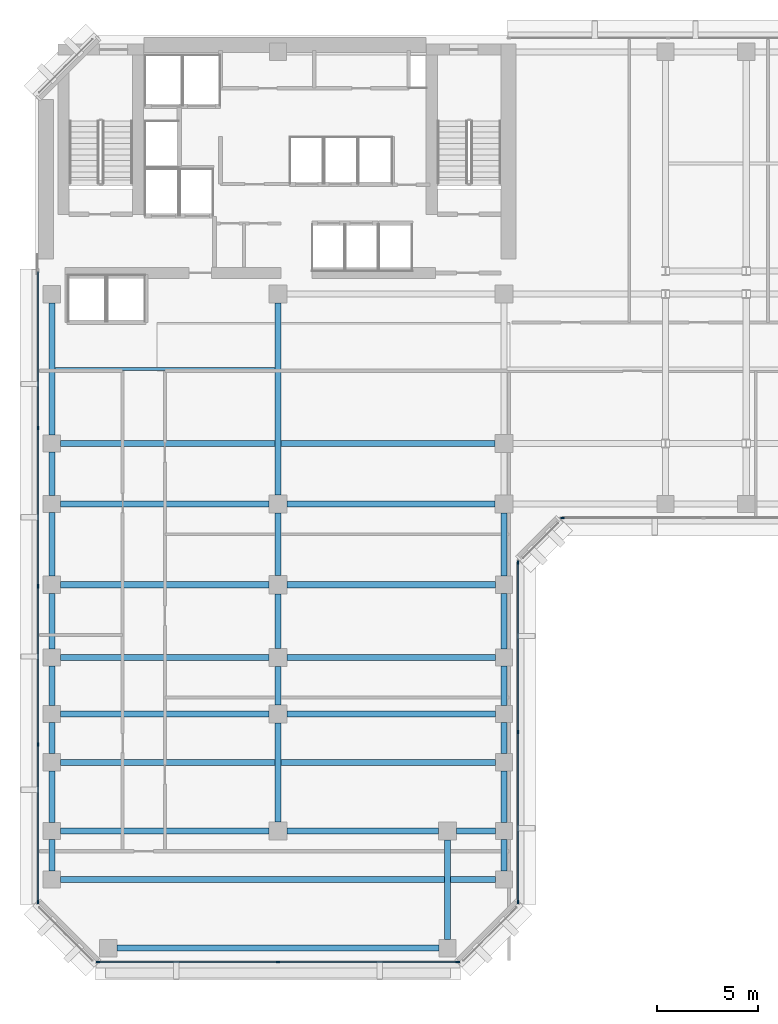
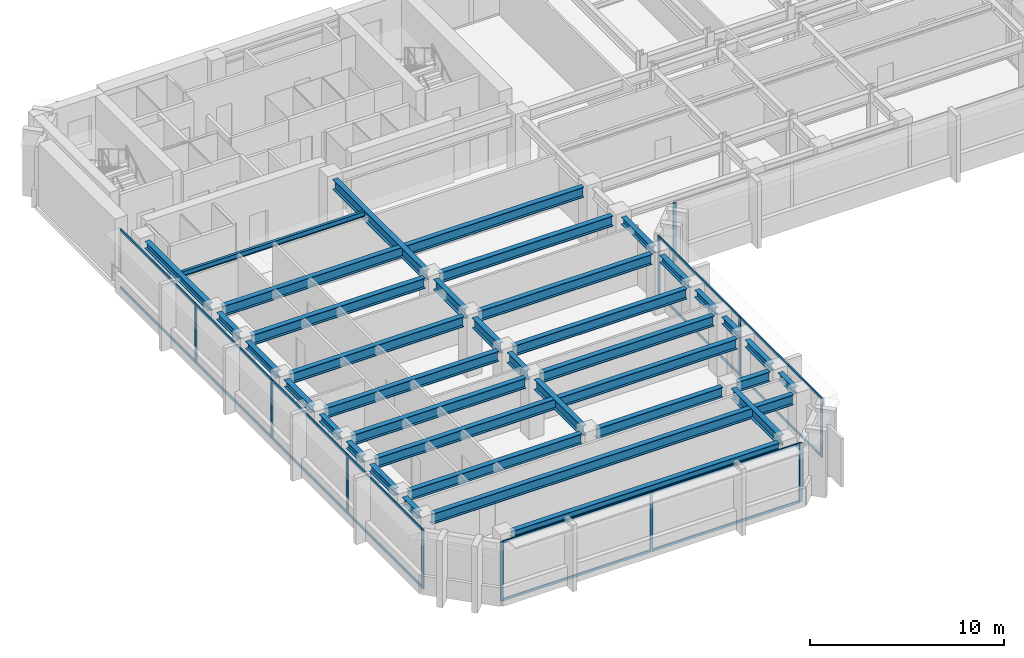
# One storey, part 2 of 11: 36 beams, 27 members, 4 elements without a shape of their own.
"""IFC4 building model written with IfcOpenShell, lengths in metres."""

import ifcopenshell
import ifcopenshell.guid

model = None  # the IFC model being written
_history = None  # IfcOwnerHistory: only IFC2X3 demands one
_inside = {}  # id of a spatial element -> (the spatial element, [elements in it])
_under = {}  # id of a project, library or spatial element -> (it, [spatial elements below it])
_declared = {}  # id of a project -> (the project, [libraries it declares])
_typed = {}  # id of a type object -> (the type object, [elements of that type])
_made_of = {}  # id of a material, layer set ... -> (it, [elements and type objects made of it])


def new_model(schema):
    """Start an empty IFC model of exactly this schema.

    Asked for "IFC4X3", IfcOpenShell would pick the latest addendum, in which some entities
    have other attributes; the version numbers below select the first issue.
    IFC2X3 requires an IfcOwnerHistory on every rooted entity: one is made here for all.
    """
    global model, _history
    if schema == "IFC4X3":
        model = ifcopenshell.file(schema_version=(4, 3, 0, 0))
    else:
        model = ifcopenshell.file(schema=schema)
    _inside.clear()
    _under.clear()
    _declared.clear()
    _typed.clear()
    _made_of.clear()
    _history = None
    if model.schema == "IFC2X3":
        org = make("IfcOrganization", Name="unknown")
        user = make(
            "IfcPersonAndOrganization",
            ThePerson=make("IfcPerson", FamilyName="unknown"),
            TheOrganization=org,
        )
        app = make(
            "IfcApplication",
            ApplicationDeveloper=org,
            Version="unknown",
            ApplicationFullName="unknown",
            ApplicationIdentifier="unknown",
        )
        _history = make(
            "IfcOwnerHistory",
            OwningUser=user,
            OwningApplication=app,
            ChangeAction="ADDED",
            CreationDate=0,
        )
    return model


def make(cls, **values):
    """One entity of the class cls with the attributes given. An attribute that is None is left unset."""
    return model.create_entity(
        cls, **{name: value for name, value in values.items() if value is not None}
    )


def rooted(cls, **values):
    """An entity with a GlobalId (a new one), such as an element, a storey or a relation."""
    return make(cls, GlobalId=ifcopenshell.guid.new(), OwnerHistory=_history, **values)


def si_unit(unit_type, name, prefix=None):
    """IfcSIUnit, for example si_unit("LENGTHUNIT", "METRE", prefix="MILLI")."""
    return make("IfcSIUnit", UnitType=unit_type, Prefix=prefix, Name=name)


def assignment(units):
    """IfcUnitAssignment: the units of a project."""
    return None if units is None else make("IfcUnitAssignment", Units=units)


def point(xyz):
    """IfcCartesianPoint."""
    return None if xyz is None else make("IfcCartesianPoint", Coordinates=xyz)


def direction(xyz):
    """IfcDirection."""
    return None if xyz is None else make("IfcDirection", DirectionRatios=xyz)


def frame(location, z_axis=None, x_axis=None):
    """IfcAxis2Placement3D, a coordinate frame: its origin and axes. An axis left out is left unset."""
    return make(
        "IfcAxis2Placement3D",
        Location=point(location),
        Axis=direction(z_axis),
        RefDirection=direction(x_axis),
    )


def frame_2d(location, x_axis=None):
    """IfcAxis2Placement2D, a coordinate frame in the plane: its origin and x axis."""
    return make(
        "IfcAxis2Placement2D", Location=point(location), RefDirection=direction(x_axis)
    )


def origin():
    """The frame at (0, 0, 0) with its axes left unset."""
    return frame((0.0, 0.0, 0.0))


def origin_2d():
    """The frame at (0, 0) in the plane with its x axis left unset."""
    return frame_2d((0.0, 0.0))


def place(relative_to, where):
    """IfcLocalPlacement: puts the frame where relative to a parent placement (None: the world)."""
    return make(
        "IfcLocalPlacement", PlacementRelTo=relative_to, RelativePlacement=where
    )


def context(
    kind, dimensions, precision=None, world=None, true_north=None, identifier=None
):
    """IfcGeometricRepresentationContext, for example the 3D "Model" context."""
    return make(
        "IfcGeometricRepresentationContext",
        ContextIdentifier=identifier,
        ContextType=kind,
        CoordinateSpaceDimension=dimensions,
        Precision=precision,
        WorldCoordinateSystem=world,
        TrueNorth=true_north,
    )


def subcontext(parent, identifier, kind, view, scale=None):
    """IfcGeometricRepresentationSubContext, for example "Body" below "Model"."""
    return make(
        "IfcGeometricRepresentationSubContext",
        ContextIdentifier=identifier,
        ContextType=kind,
        ParentContext=parent,
        TargetScale=scale,
        TargetView=view,
    )


def project(units=None, contexts=None):
    """IfcProject with its units and contexts."""
    return rooted(
        "IfcProject",
        Name="project",
        RepresentationContexts=contexts,
        UnitsInContext=assignment(units),
    )


def spatial(cls, under=None, at=None, **own):
    """A site, building, storey or space (cls), placed at a placement, below another one or the project."""
    s = rooted(cls, ObjectPlacement=at, **own)
    if under is not None:
        _under.setdefault(under.id(), (under, []))[1].append(s)
    return s


def profile(cls, at=None, kind="AREA", **sizes):
    """A parametric profile (cls). Its sizes go by their IFC names, for example OverallWidth=200.0."""
    return make(cls, ProfileType=kind, Position=at, **sizes)


def rectangle(**sizes):
    """IfcRectangleProfileDef."""
    return profile("IfcRectangleProfileDef", **sizes)


def i_section(**sizes):
    """IfcIShapeProfileDef."""
    return profile("IfcIShapeProfileDef", **sizes)


def extrude(swept, where, along, depth):
    """IfcExtrudedAreaSolid: the profile swept, set in the frame where, extruded along a direction by depth."""
    return make(
        "IfcExtrudedAreaSolid",
        SweptArea=swept,
        Position=where,
        ExtrudedDirection=direction(along),
        Depth=depth,
    )


def shape(context_of_items, identifier, shape_type, items):
    """IfcShapeRepresentation: the items that make up one representation, for example the "Body"."""
    return make(
        "IfcShapeRepresentation",
        ContextOfItems=context_of_items,
        RepresentationIdentifier=identifier,
        RepresentationType=shape_type,
        Items=items,
    )


def material(Name=None, Category=None):
    """IfcMaterial."""
    return make("IfcMaterial", Name=Name, Category=Category)


def layer(
    of_material, thickness, ventilated=None, Name=None, Category=None, Priority=None
):
    """IfcMaterialLayer: one layer of a wall or slab, of a material (None: an air gap)."""
    return make(
        "IfcMaterialLayer",
        Material=of_material,
        LayerThickness=thickness,
        IsVentilated=ventilated,
        Name=Name,
        Category=Category,
        Priority=Priority,
    )


def layer_set(layers, Name=None):
    """IfcMaterialLayerSet."""
    return make("IfcMaterialLayerSet", MaterialLayers=layers, LayerSetName=Name)


def material_profile(
    of_material, cross_section, Name=None, Category=None, Priority=None
):
    """IfcMaterialProfile: a cross section and its material."""
    return make(
        "IfcMaterialProfile",
        Name=Name,
        Material=of_material,
        Profile=cross_section,
        Priority=Priority,
        Category=Category,
    )


def profile_set(profiles, Name=None, composite=None):
    """IfcMaterialProfileSet."""
    return make(
        "IfcMaterialProfileSet",
        Name=Name,
        MaterialProfiles=profiles,
        CompositeProfile=composite,
    )


def made_of(thing, what):
    """Note that an element or type object is made of a material, layer set ...; save() writes the relation."""
    if what is not None:
        _made_of.setdefault(what.id(), (what, []))[1].append(thing)
    return thing


def type_object(cls, material=None, **own):
    """A type object (cls), such as IfcWallType, which elements share."""
    return made_of(rooted(cls, **own), material)


def element(
    cls,
    number,
    at=None,
    inside=None,
    cuts=None,
    type_object=None,
    material=None,
    context=None,
    identifier="Body",
    shape_type=None,
    held_by="IfcProductDefinitionShape",
    body=None,
    shapes=None,
    **own,
):
    """One element of the class cls, such as IfcWall. Its Tag is "e" and its number.

    at: its placement. inside: the storey or other place that contains it. cuts: it is an
    opening in that element (IfcRelVoidsElement). A single representation is given by context,
    identifier, shape_type and body (its items); several are given by shapes. held_by: the class
    of the entity that holds the representations. save() writes the other relations.
    """
    e = rooted(cls, Tag="e%d" % number, ObjectPlacement=at, **own)
    if body is not None:
        shapes = [shape(context, identifier, shape_type, body)]
    if shapes is not None:
        e.Representation = make(held_by, Representations=shapes)
    if inside is not None:
        _inside.setdefault(inside.id(), (inside, []))[1].append(e)
    if cuts is not None:
        rooted(
            "IfcRelVoidsElement", RelatingBuildingElement=cuts, RelatedOpeningElement=e
        )
    if type_object is not None:
        _typed.setdefault(type_object.id(), (type_object, []))[1].append(e)
    return made_of(e, material)


def aggregate(whole, parts):
    """IfcRelAggregates: a whole, such as a stair, and the parts it consists of."""
    return rooted("IfcRelAggregates", RelatingObject=whole, RelatedObjects=parts)


def save(model, path):
    """Write the relations noted so far, then the file.

    IfcRelAggregates (storeys below a building ...), IfcRelContainedInSpatialStructure (elements
    in a storey), IfcRelDefinesByType, IfcRelAssociatesMaterial and IfcRelDeclares: one each for
    every whole, place, type object, material and project.
    """
    for whole, parts in _under.values():
        aggregate(whole, parts)
    for where, things in _inside.values():
        rooted(
            "IfcRelContainedInSpatialStructure",
            RelatedElements=things,
            RelatingStructure=where,
        )
    for kind, things in _typed.values():
        rooted("IfcRelDefinesByType", RelatedObjects=things, RelatingType=kind)
    for what, things in _made_of.values():
        rooted("IfcRelAssociatesMaterial", RelatedObjects=things, RelatingMaterial=what)
    for by, libraries in _declared.values():
        rooted("IfcRelDeclares", RelatingContext=by, RelatedDefinitions=libraries)
    model.write(path)


model = new_model("IFC4")

# Units and contexts
model_context = context("Model", 3, precision=1e-05, world=origin(), true_north=direction((0.0, 1.0)))
body_context = subcontext(model_context, "Body", "Model", "MODEL_VIEW")
ifc_project = project(units=[si_unit("LENGTHUNIT", "METRE"), si_unit("AREAUNIT", "SQUARE_METRE"), si_unit("VOLUMEUNIT", "CUBIC_METRE"), si_unit("PLANEANGLEUNIT", "RADIAN"), si_unit("MASSUNIT", "GRAM", prefix="KILO")], contexts=[model_context])

# Site, building, storey
site_placement = place(None, origin())
site = spatial("IfcSite", under=ifc_project, at=site_placement, CompositionType="ELEMENT")
building_placement = place(site_placement, origin())
building = spatial("IfcBuilding", under=site, at=building_placement, Name="Kefirva Bronze Tower", CompositionType="ELEMENT")
storey_placement = place(building_placement, frame((0.0, 0.0, 138.929931640625)))
storey = spatial("IfcBuildingStorey", under=building, at=storey_placement, Name="L33", CompositionType="ELEMENT", Elevation=138.929931640625)

# Curtain wall, members
ifc_material_1 = material(Name="Bronze anodised aluminium", Category="aluminium")
ifc_layer = layer(ifc_material_1, 0.199951171875, Name="Bronze anodised aluminium")
ifc_layer_set = layer_set([ifc_layer], Name="Bronze anodised aluminium")
curtain_wall_type = type_object("IfcCurtainWallType", Name="Unitised Bronze Ribbon Curtain Wall Zone 2", PredefinedType="USERDEFINED", material=ifc_layer_set)
curtain_wall_1_placement = place(storey_placement, origin())
curtain_wall_1 = element("IfcCurtainWall", 1, at=curtain_wall_1_placement, inside=storey, type_object=curtain_wall_type, Name="L33 Curtain Wall 1", ObjectType="UNITISED CURTAIN WALL", PredefinedType="USERDEFINED")
ifc_material_profile_1 = material_profile(ifc_material_1, rectangle(XDim=0.074951171875, YDim=0.179931640625, at=origin_2d()), Name="ALU 75x180")
ifc_profile_set_1 = profile_set([ifc_material_profile_1], Name="Bronze anodised aluminium")
member_type_1 = type_object("IfcMemberType", Name="Bronze Mullion 75x180", PredefinedType="MULLION", material=ifc_profile_set_1)
member_1_placement = place(storey_placement, frame((3.092529296875, 0.1201171875, 0.0), z_axis=(0.0, 0.0, 1.0), x_axis=(0.0, 1.0, 0.0)))
member_1 = element("IfcMember", 2, at=member_1_placement, type_object=member_type_1, Name="CW-02 mullion 1", PredefinedType="MULLION", context=body_context, shape_type="SweptSolid", body=[
    extrude(rectangle(XDim=0.074951171875, YDim=0.179931640625, at=origin_2d()), origin(), (0.0, 0.0, 1.0), 3.7099609375),
])
member_2_placement = place(storey_placement, frame((12.0, 0.1201171875, 0.0), z_axis=(0.0, 0.0, 1.0), x_axis=(0.0, 1.0, 0.0)))
member_2 = element("IfcMember", 3, at=member_2_placement, type_object=member_type_1, Name="CW-02 mullion 2", PredefinedType="MULLION", context=body_context, shape_type="SweptSolid", body=[
    extrude(rectangle(XDim=0.074951171875, YDim=0.179931640625, at=origin_2d()), origin(), (0.0, 0.0, 1.0), 3.7099609375),
])
member_3_placement = place(storey_placement, frame((20.907470703125, 0.1201171875, 0.0), z_axis=(0.0, 0.0, 1.0), x_axis=(0.0, 1.0, 0.0)))
member_3 = element("IfcMember", 4, at=member_3_placement, type_object=member_type_1, Name="CW-02 mullion 3", PredefinedType="MULLION", context=body_context, shape_type="SweptSolid", body=[
    extrude(rectangle(XDim=0.074951171875, YDim=0.179931640625, at=origin_2d()), origin(), (0.0, 0.0, 1.0), 3.7099609375),
])

curtain_wall_2_placement = place(storey_placement, origin())
curtain_wall_2 = element("IfcCurtainWall", 5, at=curtain_wall_2_placement, inside=storey, type_object=curtain_wall_type, Name="L33 Curtain Wall 2", ObjectType="UNITISED CURTAIN WALL", PredefinedType="USERDEFINED")
member_4_placement = place(storey_placement, frame((23.8798828125, 3.092529296875, 0.0), z_axis=(0.0, 0.0, 1.0), x_axis=(-1.0, 0.0, 0.0)))
member_4 = element("IfcMember", 6, at=member_4_placement, type_object=member_type_1, Name="CW-02 mullion 1", PredefinedType="MULLION", context=body_context, shape_type="SweptSolid", body=[
    extrude(rectangle(XDim=0.074951171875, YDim=0.179931640625, at=origin_2d()), origin(), (0.0, 0.0, 1.0), 3.7099609375),
])
member_5_placement = place(storey_placement, frame((23.8798828125, 11.5, 0.0), z_axis=(0.0, 0.0, 1.0), x_axis=(-1.0, 0.0, 0.0)))
member_5 = element("IfcMember", 7, at=member_5_placement, type_object=member_type_1, Name="CW-02 mullion 2", PredefinedType="MULLION", context=body_context, shape_type="SweptSolid", body=[
    extrude(rectangle(XDim=0.074951171875, YDim=0.179931640625, at=origin_2d()), origin(), (0.0, 0.0, 1.0), 3.7099609375),
])
member_6_placement = place(storey_placement, frame((23.8798828125, 19.907470703125, 0.0), z_axis=(0.0, 0.0, 1.0), x_axis=(-1.0, 0.0, 0.0)))
member_6 = element("IfcMember", 8, at=member_6_placement, type_object=member_type_1, Name="CW-02 mullion 3", PredefinedType="MULLION", context=body_context, shape_type="SweptSolid", body=[
    extrude(rectangle(XDim=0.074951171875, YDim=0.179931640625, at=origin_2d()), origin(), (0.0, 0.0, 1.0), 3.7099609375),
])

# Curtain wall, member
curtain_wall_3_placement = place(storey_placement, origin())
curtain_wall_3 = element("IfcCurtainWall", 9, at=curtain_wall_3_placement, inside=storey, type_object=curtain_wall_type, Name="L33 Curtain Wall 3", ObjectType="UNITISED CURTAIN WALL", PredefinedType="USERDEFINED")
member_7_placement = place(storey_placement, frame((26.092529296875, 22.1201171875, 0.0), z_axis=(0.0, 0.0, 1.0), x_axis=(0.0, 1.0, 0.0)))
member_7 = element("IfcMember", 10, at=member_7_placement, type_object=member_type_1, Name="CW-02 mullion 1", PredefinedType="MULLION", context=body_context, shape_type="SweptSolid", body=[
    extrude(rectangle(XDim=0.074951171875, YDim=0.179931640625, at=origin_2d()), origin(), (0.0, 0.0, 1.0), 3.7099609375),
])
aggregate(curtain_wall_3, [member_7])

# Curtain wall, members
curtain_wall_4_placement = place(storey_placement, origin())
curtain_wall_4 = element("IfcCurtainWall", 11, at=curtain_wall_4_placement, inside=storey, type_object=curtain_wall_type, Name="L33 Curtain Wall 6", ObjectType="UNITISED CURTAIN WALL", PredefinedType="USERDEFINED")
member_8_placement = place(storey_placement, frame((0.1201171875, 26.56005859375, 0.0), z_axis=(0.0, 0.0, 1.0), x_axis=(1.0, 0.0, 0.0)))
member_8 = element("IfcMember", 12, at=member_8_placement, type_object=member_type_1, Name="CW-02 mullion 2", PredefinedType="MULLION", context=body_context, shape_type="SweptSolid", body=[
    extrude(rectangle(XDim=0.074951171875, YDim=0.179931640625, at=origin_2d()), origin(), (0.0, 0.0, 1.0), 3.7099609375),
])
member_9_placement = place(storey_placement, frame((0.1201171875, 18.72509765625, 0.0), z_axis=(0.0, 0.0, 1.0), x_axis=(1.0, 0.0, 0.0)))
member_9 = element("IfcMember", 13, at=member_9_placement, type_object=member_type_1, Name="CW-02 mullion 3", PredefinedType="MULLION", context=body_context, shape_type="SweptSolid", body=[
    extrude(rectangle(XDim=0.074951171875, YDim=0.179931640625, at=origin_2d()), origin(), (0.0, 0.0, 1.0), 3.7099609375),
])
member_10_placement = place(storey_placement, frame((0.1201171875, 10.889892578125, 0.0), z_axis=(0.0, 0.0, 1.0), x_axis=(1.0, 0.0, 0.0)))
member_10 = element("IfcMember", 14, at=member_10_placement, type_object=member_type_1, Name="CW-02 mullion 4", PredefinedType="MULLION", context=body_context, shape_type="SweptSolid", body=[
    extrude(rectangle(XDim=0.074951171875, YDim=0.179931640625, at=origin_2d()), origin(), (0.0, 0.0, 1.0), 3.7099609375),
])
member_11_placement = place(storey_placement, frame((0.1201171875, 3.092529296875, 0.0), z_axis=(0.0, 0.0, 1.0), x_axis=(1.0, 0.0, 0.0)))
member_11 = element("IfcMember", 15, at=member_11_placement, type_object=member_type_1, Name="CW-02 mullion 5", PredefinedType="MULLION", context=body_context, shape_type="SweptSolid", body=[
    extrude(rectangle(XDim=0.074951171875, YDim=0.179931640625, at=origin_2d()), origin(), (0.0, 0.0, 1.0), 3.7099609375),
])

# Member
ifc_material_profile_2 = material_profile(ifc_material_1, rectangle(XDim=0.074951171875, YDim=0.14990234375, at=origin_2d()), Name="ALU 75x150")
ifc_profile_set_2 = profile_set([ifc_material_profile_2], Name="Bronze anodised aluminium")
member_type_2 = type_object("IfcMemberType", Name="Bronze Transom 75x150", PredefinedType="USERDEFINED", material=ifc_profile_set_2)
member_12_placement = place(storey_placement, frame((3.1298828125, 0.1201171875, 0.03759765625), z_axis=(1.0, 0.0, 0.0), x_axis=(0.0, 1.0, 0.0)))
member_12 = element("IfcMember", 16, at=member_12_placement, type_object=member_type_2, Name="CW-02 transom 1.1", ObjectType="TRANSOM", PredefinedType="USERDEFINED", context=body_context, shape_type="SweptSolid", body=[
    extrude(rectangle(XDim=0.074951171875, YDim=0.14990234375, at=origin_2d()), origin(), (0.0, 0.0, 1.0), 8.83251953125),
])

member_13_placement = place(storey_placement, frame((3.1298828125, 0.1201171875, 3.672607421875), z_axis=(1.0, 0.0, 0.0), x_axis=(0.0, 1.0, 0.0)))
member_13 = element("IfcMember", 17, at=member_13_placement, type_object=member_type_2, Name="CW-02 transom 1.2", ObjectType="TRANSOM", PredefinedType="USERDEFINED", context=body_context, shape_type="SweptSolid", body=[
    extrude(rectangle(XDim=0.074951171875, YDim=0.14990234375, at=origin_2d()), origin(), (0.0, 0.0, 1.0), 8.83251953125),
])

member_14_placement = place(storey_placement, frame((12.03759765625, 0.1201171875, 0.03759765625), z_axis=(1.0, 0.0, 0.0), x_axis=(0.0, 1.0, 0.0)))
member_14 = element("IfcMember", 18, at=member_14_placement, type_object=member_type_2, Name="CW-02 transom 2.1", ObjectType="TRANSOM", PredefinedType="USERDEFINED", context=body_context, shape_type="SweptSolid", body=[
    extrude(rectangle(XDim=0.074951171875, YDim=0.14990234375, at=origin_2d()), origin(), (0.0, 0.0, 1.0), 8.83251953125),
])

member_15_placement = place(storey_placement, frame((12.03759765625, 0.1201171875, 3.672607421875), z_axis=(1.0, 0.0, 0.0), x_axis=(0.0, 1.0, 0.0)))
member_15 = element("IfcMember", 19, at=member_15_placement, type_object=member_type_2, Name="CW-02 transom 2.2", ObjectType="TRANSOM", PredefinedType="USERDEFINED", context=body_context, shape_type="SweptSolid", body=[
    extrude(rectangle(XDim=0.074951171875, YDim=0.14990234375, at=origin_2d()), origin(), (0.0, 0.0, 1.0), 8.83251953125),
])

aggregate(curtain_wall_1, [member_1, member_2, member_3, member_12, member_13, member_14, member_15])

member_16_placement = place(storey_placement, frame((23.8798828125, 3.1298828125, 0.03759765625), z_axis=(0.0, 1.0, 0.0), x_axis=(-1.0, 0.0, 0.0)))
member_16 = element("IfcMember", 20, at=member_16_placement, type_object=member_type_2, Name="CW-02 transom 1.1", ObjectType="TRANSOM", PredefinedType="USERDEFINED", context=body_context, shape_type="SweptSolid", body=[
    extrude(rectangle(XDim=0.074951171875, YDim=0.14990234375, at=origin_2d()), origin(), (0.0, 0.0, 1.0), 8.33251953125),
])

member_17_placement = place(storey_placement, frame((23.8798828125, 3.1298828125, 3.672607421875), z_axis=(0.0, 1.0, 0.0), x_axis=(-1.0, 0.0, 0.0)))
member_17 = element("IfcMember", 21, at=member_17_placement, type_object=member_type_2, Name="CW-02 transom 1.2", ObjectType="TRANSOM", PredefinedType="USERDEFINED", context=body_context, shape_type="SweptSolid", body=[
    extrude(rectangle(XDim=0.074951171875, YDim=0.14990234375, at=origin_2d()), origin(), (0.0, 0.0, 1.0), 8.33251953125),
])

member_18_placement = place(storey_placement, frame((23.8798828125, 11.53759765625, 0.03759765625), z_axis=(0.0, 1.0, 0.0), x_axis=(-1.0, 0.0, 0.0)))
member_18 = element("IfcMember", 22, at=member_18_placement, type_object=member_type_2, Name="CW-02 transom 2.1", ObjectType="TRANSOM", PredefinedType="USERDEFINED", context=body_context, shape_type="SweptSolid", body=[
    extrude(rectangle(XDim=0.074951171875, YDim=0.14990234375, at=origin_2d()), origin(), (0.0, 0.0, 1.0), 8.33251953125),
])

member_19_placement = place(storey_placement, frame((23.8798828125, 11.53759765625, 3.672607421875), z_axis=(0.0, 1.0, 0.0), x_axis=(-1.0, 0.0, 0.0)))
member_19 = element("IfcMember", 23, at=member_19_placement, type_object=member_type_2, Name="CW-02 transom 2.2", ObjectType="TRANSOM", PredefinedType="USERDEFINED", context=body_context, shape_type="SweptSolid", body=[
    extrude(rectangle(XDim=0.074951171875, YDim=0.14990234375, at=origin_2d()), origin(), (0.0, 0.0, 1.0), 8.33251953125),
])

aggregate(curtain_wall_2, [member_4, member_5, member_6, member_16, member_17, member_18, member_19])

member_20_placement = place(storey_placement, frame((0.1201171875, 34.320068359375, 0.03759765625), z_axis=(0.0, -1.0, 0.0), x_axis=(1.0, 0.0, 0.0)))
member_20 = element("IfcMember", 24, at=member_20_placement, type_object=member_type_2, Name="CW-02 transom 1.1", ObjectType="TRANSOM", PredefinedType="USERDEFINED", context=body_context, shape_type="SweptSolid", body=[
    extrude(rectangle(XDim=0.074951171875, YDim=0.14990234375, at=origin_2d()), origin(), (0.0, 0.0, 1.0), 7.72265625),
])

member_21_placement = place(storey_placement, frame((0.1201171875, 34.320068359375, 3.672607421875), z_axis=(0.0, -1.0, 0.0), x_axis=(1.0, 0.0, 0.0)))
member_21 = element("IfcMember", 25, at=member_21_placement, type_object=member_type_2, Name="CW-02 transom 1.2", ObjectType="TRANSOM", PredefinedType="USERDEFINED", context=body_context, shape_type="SweptSolid", body=[
    extrude(rectangle(XDim=0.074951171875, YDim=0.14990234375, at=origin_2d()), origin(), (0.0, 0.0, 1.0), 7.72265625),
])

member_22_placement = place(storey_placement, frame((0.1201171875, 26.5224609375, 0.03759765625), z_axis=(0.0, -1.0, 0.0), x_axis=(1.0, 0.0, 0.0)))
member_22 = element("IfcMember", 26, at=member_22_placement, type_object=member_type_2, Name="CW-02 transom 2.1", ObjectType="TRANSOM", PredefinedType="USERDEFINED", context=body_context, shape_type="SweptSolid", body=[
    extrude(rectangle(XDim=0.074951171875, YDim=0.14990234375, at=origin_2d()), origin(), (0.0, 0.0, 1.0), 7.760009765625),
])

member_23_placement = place(storey_placement, frame((0.1201171875, 26.5224609375, 3.672607421875), z_axis=(0.0, -1.0, 0.0), x_axis=(1.0, 0.0, 0.0)))
member_23 = element("IfcMember", 27, at=member_23_placement, type_object=member_type_2, Name="CW-02 transom 2.2", ObjectType="TRANSOM", PredefinedType="USERDEFINED", context=body_context, shape_type="SweptSolid", body=[
    extrude(rectangle(XDim=0.074951171875, YDim=0.14990234375, at=origin_2d()), origin(), (0.0, 0.0, 1.0), 7.760009765625),
])

member_24_placement = place(storey_placement, frame((0.1201171875, 18.6875, 0.03759765625), z_axis=(0.0, -1.0, 0.0), x_axis=(1.0, 0.0, 0.0)))
member_24 = element("IfcMember", 28, at=member_24_placement, type_object=member_type_2, Name="CW-02 transom 3.1", ObjectType="TRANSOM", PredefinedType="USERDEFINED", context=body_context, shape_type="SweptSolid", body=[
    extrude(rectangle(XDim=0.074951171875, YDim=0.14990234375, at=origin_2d()), origin(), (0.0, 0.0, 1.0), 7.760009765625),
])

member_25_placement = place(storey_placement, frame((0.1201171875, 18.6875, 3.672607421875), z_axis=(0.0, -1.0, 0.0), x_axis=(1.0, 0.0, 0.0)))
member_25 = element("IfcMember", 29, at=member_25_placement, type_object=member_type_2, Name="CW-02 transom 3.2", ObjectType="TRANSOM", PredefinedType="USERDEFINED", context=body_context, shape_type="SweptSolid", body=[
    extrude(rectangle(XDim=0.074951171875, YDim=0.14990234375, at=origin_2d()), origin(), (0.0, 0.0, 1.0), 7.760009765625),
])

member_26_placement = place(storey_placement, frame((0.1201171875, 10.8525390625, 0.03759765625), z_axis=(0.0, -1.0, 0.0), x_axis=(1.0, 0.0, 0.0)))
member_26 = element("IfcMember", 30, at=member_26_placement, type_object=member_type_2, Name="CW-02 transom 4.1", ObjectType="TRANSOM", PredefinedType="USERDEFINED", context=body_context, shape_type="SweptSolid", body=[
    extrude(rectangle(XDim=0.074951171875, YDim=0.14990234375, at=origin_2d()), origin(), (0.0, 0.0, 1.0), 7.72265625),
])

member_27_placement = place(storey_placement, frame((0.1201171875, 10.8525390625, 3.672607421875), z_axis=(0.0, -1.0, 0.0), x_axis=(1.0, 0.0, 0.0)))
member_27 = element("IfcMember", 31, at=member_27_placement, type_object=member_type_2, Name="CW-02 transom 4.2", ObjectType="TRANSOM", PredefinedType="USERDEFINED", context=body_context, shape_type="SweptSolid", body=[
    extrude(rectangle(XDim=0.074951171875, YDim=0.14990234375, at=origin_2d()), origin(), (0.0, 0.0, 1.0), 7.72265625),
])

aggregate(curtain_wall_4, [member_8, member_9, member_10, member_11, member_20, member_21, member_22, member_23, member_24, member_25, member_26, member_27])

# Beams
ifc_material_2 = material(Name="Steel S355", Category="steel")
ifc_material_profile_3 = material_profile(ifc_material_2, i_section(OverallWidth=0.159912109375, OverallDepth=0.330078125, WebThickness=0.007568359375, FlangeThickness=0.011474609375, at=origin_2d()), Name="IPE 330")
ifc_profile_set_3 = profile_set([ifc_material_profile_3], Name="Steel S355")
beam_type_1 = type_object("IfcBeamType", Name="Steel Floor Joist IPE 330", PredefinedType="JOIST", material=ifc_profile_set_3)
beam_1_placement = place(storey_placement, frame((0.949951171875, 29.489990234375, 3.545166015625), z_axis=(1.0, 0.0, 0.0), x_axis=(0.0, 1.0, 0.0)))
element("IfcBeam", 32, at=beam_1_placement, inside=storey, type_object=beam_type_1, Name="L33 JST-L33-0-294", PredefinedType="JOIST", context=body_context, shape_type="SweptSolid", body=[
    extrude(i_section(OverallWidth=0.159912109375, OverallDepth=0.330078125, WebThickness=0.007568359375, FlangeThickness=0.011474609375, at=origin_2d()), origin(), (0.0, 0.0, 1.0), 10.900146484375),
])
ifc_material_profile_4 = material_profile(ifc_material_2, i_section(OverallWidth=0.300048828125, OverallDepth=0.64990234375, WebThickness=0.01611328125, FlangeThickness=0.031005859375, at=origin_2d()), Name="HEB 650")
ifc_profile_set_4 = profile_set([ifc_material_profile_4], Name="Steel S355")
beam_type_2 = type_object("IfcBeamType", Name="Steel Girder HEB 650", PredefinedType="USERDEFINED", material=ifc_profile_set_4)
beam_2_placement = place(storey_placement, frame((1.22998046875, 4.199951171875, 3.385009765625), z_axis=(1.0, 0.0, 0.0), x_axis=(0.0, 1.0, 0.0)))
element("IfcBeam", 33, at=beam_2_placement, inside=storey, type_object=beam_type_2, Name="L33 BM-L33-EW-0-42", ObjectType="GIRDER", PredefinedType="USERDEFINED", context=body_context, shape_type="SweptSolid", body=[
    extrude(i_section(OverallWidth=0.300048828125, OverallDepth=0.64990234375, WebThickness=0.01611328125, FlangeThickness=0.031005859375, at=origin_2d()), origin(), (0.0, 0.0, 1.0), 21.5400390625),
])
beam_3_placement = place(storey_placement, frame((1.22998046875, 6.60009765625, 3.385009765625), z_axis=(1.0, 0.0, 0.0), x_axis=(0.0, 1.0, 0.0)))
element("IfcBeam", 34, at=beam_3_placement, inside=storey, type_object=beam_type_2, Name="L33 BM-L33-EW-0-66", ObjectType="GIRDER", PredefinedType="USERDEFINED", context=body_context, shape_type="SweptSolid", body=[
    extrude(i_section(OverallWidth=0.300048828125, OverallDepth=0.64990234375, WebThickness=0.01611328125, FlangeThickness=0.031005859375, at=origin_2d()), origin(), (0.0, 0.0, 1.0), 10.320068359375),
])
beam_4_placement = place(storey_placement, frame((12.449951171875, 6.60009765625, 3.385009765625), z_axis=(1.0, 0.0, 0.0), x_axis=(0.0, 1.0, 0.0)))
element("IfcBeam", 35, at=beam_4_placement, inside=storey, type_object=beam_type_2, Name="L33 BM-L33-EW-12-66", ObjectType="GIRDER", PredefinedType="USERDEFINED", context=body_context, shape_type="SweptSolid", body=[
    extrude(i_section(OverallWidth=0.300048828125, OverallDepth=0.64990234375, WebThickness=0.01611328125, FlangeThickness=0.031005859375, at=origin_2d()), origin(), (0.0, 0.0, 1.0), 7.5),
])
beam_5_placement = place(storey_placement, frame((20.85009765625, 6.60009765625, 3.385009765625), z_axis=(1.0, 0.0, 0.0), x_axis=(0.0, 1.0, 0.0)))
element("IfcBeam", 36, at=beam_5_placement, inside=storey, type_object=beam_type_2, Name="L33 BM-L33-EW-20-66", ObjectType="GIRDER", PredefinedType="USERDEFINED", context=body_context, shape_type="SweptSolid", body=[
    extrude(i_section(OverallWidth=0.300048828125, OverallDepth=0.64990234375, WebThickness=0.01611328125, FlangeThickness=0.031005859375, at=origin_2d()), origin(), (0.0, 0.0, 1.0), 1.919921875),
])
beam_6_placement = place(storey_placement, frame((1.22998046875, 10.0, 3.385009765625), z_axis=(1.0, 0.0, 0.0), x_axis=(0.0, 1.0, 0.0)))
element("IfcBeam", 37, at=beam_6_placement, inside=storey, type_object=beam_type_2, Name="L33 BM-L33-EW-0-100", ObjectType="GIRDER", PredefinedType="USERDEFINED", context=body_context, shape_type="SweptSolid", body=[
    extrude(i_section(OverallWidth=0.300048828125, OverallDepth=0.64990234375, WebThickness=0.01611328125, FlangeThickness=0.031005859375, at=origin_2d()), origin(), (0.0, 0.0, 1.0), 21.5400390625),
])
for number, where, z_axis, x_axis, name in (
    (38, (1.22998046875, 12.39990234375, 3.385009765625), (1.0, 0.0, 0.0), (0.0, 1.0, 0.0), "L33 BM-L33-EW-0-124"),
    (39, (12.449951171875, 12.39990234375, 3.385009765625), (1.0, 0.0, 0.0), (0.0, 1.0, 0.0), "L33 BM-L33-EW-12-124"),
    (40, (1.22998046875, 15.199951171875, 3.385009765625), (1.0, 0.0, 0.0), (0.0, 1.0, 0.0), "L33 BM-L33-EW-0-152"),
    (41, (12.449951171875, 15.199951171875, 3.385009765625), (1.0, 0.0, 0.0), (0.0, 1.0, 0.0), "L33 BM-L33-EW-12-152"),
    (42, (1.22998046875, 18.800048828125, 3.385009765625), (1.0, 0.0, 0.0), (0.0, 1.0, 0.0), "L33 BM-L33-EW-0-188"),
    (43, (12.449951171875, 18.800048828125, 3.385009765625), (1.0, 0.0, 0.0), (0.0, 1.0, 0.0), "L33 BM-L33-EW-12-188"),
    (44, (1.22998046875, 22.800048828125, 3.385009765625), (1.0, 0.0, 0.0), (0.0, 1.0, 0.0), "L33 BM-L33-EW-0-228"),
):
    element("IfcBeam", number, at=place(storey_placement, frame(where, z_axis=z_axis, x_axis=x_axis)), inside=storey, type_object=beam_type_2, Name=name, ObjectType="GIRDER", PredefinedType="USERDEFINED", context=body_context, shape_type="SweptSolid", body=[
        extrude(i_section(OverallWidth=0.300048828125, OverallDepth=0.64990234375, WebThickness=0.01611328125, FlangeThickness=0.031005859375, at=origin_2d()), origin(), (0.0, 0.0, 1.0), 10.320068359375),
    ])
beam_7_placement = place(storey_placement, frame((12.449951171875, 22.800048828125, 3.385009765625), z_axis=(1.0, 0.0, 0.0), x_axis=(0.0, 1.0, 0.0)))
element("IfcBeam", 45, at=beam_7_placement, inside=storey, type_object=beam_type_2, Name="L33 BM-L33-EW-12-228", ObjectType="GIRDER", PredefinedType="USERDEFINED", context=body_context, shape_type="SweptSolid", body=[
    extrude(i_section(OverallWidth=0.300048828125, OverallDepth=0.64990234375, WebThickness=0.01611328125, FlangeThickness=0.031005859375, at=origin_2d()), origin(), (0.0, 0.0, 1.0), 10.300048828125),
])
beam_8_placement = place(storey_placement, frame((1.22998046875, 25.800048828125, 3.385009765625), z_axis=(1.0, 0.0, 0.0), x_axis=(0.0, 1.0, 0.0)))
element("IfcBeam", 46, at=beam_8_placement, inside=storey, type_object=beam_type_2, Name="L33 BM-L33-EW-0-258", ObjectType="GIRDER", PredefinedType="USERDEFINED", context=body_context, shape_type="SweptSolid", body=[
    extrude(i_section(OverallWidth=0.300048828125, OverallDepth=0.64990234375, WebThickness=0.01611328125, FlangeThickness=0.031005859375, at=origin_2d()), origin(), (0.0, 0.0, 1.0), 21.52001953125),
])
beam_9_placement = place(storey_placement, frame((12.0, 7.050048828125, 3.385009765625), z_axis=(0.0, 1.0, 0.0), x_axis=(-1.0, 0.0, 0.0)))
element("IfcBeam", 47, at=beam_9_placement, inside=storey, type_object=beam_type_2, Name="L33 BM-L33-NS-120-6", ObjectType="GIRDER", PredefinedType="USERDEFINED", context=body_context, shape_type="SweptSolid", body=[
    extrude(i_section(OverallWidth=0.300048828125, OverallDepth=0.64990234375, WebThickness=0.01611328125, FlangeThickness=0.031005859375, at=origin_2d()), origin(), (0.0, 0.0, 1.0), 4.89990234375),
])
beam_10_placement = place(storey_placement, frame((12.0, 12.85009765625, 3.385009765625), z_axis=(0.0, 1.0, 0.0), x_axis=(-1.0, 0.0, 0.0)))
element("IfcBeam", 48, at=beam_10_placement, inside=storey, type_object=beam_type_2, Name="L33 BM-L33-NS-120-12", ObjectType="GIRDER", PredefinedType="USERDEFINED", context=body_context, shape_type="SweptSolid", body=[
    extrude(i_section(OverallWidth=0.300048828125, OverallDepth=0.64990234375, WebThickness=0.01611328125, FlangeThickness=0.031005859375, at=origin_2d()), origin(), (0.0, 0.0, 1.0), 1.89990234375),
])
beam_11_placement = place(storey_placement, frame((12.0, 15.64990234375, 3.385009765625), z_axis=(0.0, 1.0, 0.0), x_axis=(-1.0, 0.0, 0.0)))
element("IfcBeam", 49, at=beam_11_placement, inside=storey, type_object=beam_type_2, Name="L33 BM-L33-NS-120-15", ObjectType="GIRDER", PredefinedType="USERDEFINED", context=body_context, shape_type="SweptSolid", body=[
    extrude(i_section(OverallWidth=0.300048828125, OverallDepth=0.64990234375, WebThickness=0.01611328125, FlangeThickness=0.031005859375, at=origin_2d()), origin(), (0.0, 0.0, 1.0), 2.7001953125),
])
beam_12_placement = place(storey_placement, frame((12.0, 19.25, 3.385009765625), z_axis=(0.0, 1.0, 0.0), x_axis=(-1.0, 0.0, 0.0)))
element("IfcBeam", 50, at=beam_12_placement, inside=storey, type_object=beam_type_2, Name="L33 BM-L33-NS-120-18", ObjectType="GIRDER", PredefinedType="USERDEFINED", context=body_context, shape_type="SweptSolid", body=[
    extrude(i_section(OverallWidth=0.300048828125, OverallDepth=0.64990234375, WebThickness=0.01611328125, FlangeThickness=0.031005859375, at=origin_2d()), origin(), (0.0, 0.0, 1.0), 3.10009765625),
])
beam_13_placement = place(storey_placement, frame((12.0, 23.25, 3.385009765625), z_axis=(0.0, 1.0, 0.0), x_axis=(-1.0, 0.0, 0.0)))
element("IfcBeam", 51, at=beam_13_placement, inside=storey, type_object=beam_type_2, Name="L33 BM-L33-NS-120-22", ObjectType="GIRDER", PredefinedType="USERDEFINED", context=body_context, shape_type="SweptSolid", body=[
    extrude(i_section(OverallWidth=0.300048828125, OverallDepth=0.64990234375, WebThickness=0.01611328125, FlangeThickness=0.031005859375, at=origin_2d()), origin(), (0.0, 0.0, 1.0), 9.5),
])
beam_14_placement = place(storey_placement, frame((20.39990234375, 1.22998046875, 3.385009765625), z_axis=(0.0, 1.0, 0.0), x_axis=(-1.0, 0.0, 0.0)))
element("IfcBeam", 52, at=beam_14_placement, inside=storey, type_object=beam_type_2, Name="L33 BM-L33-NS-204-0", ObjectType="GIRDER", PredefinedType="USERDEFINED", context=body_context, shape_type="SweptSolid", body=[
    extrude(i_section(OverallWidth=0.300048828125, OverallDepth=0.64990234375, WebThickness=0.01611328125, FlangeThickness=0.031005859375, at=origin_2d()), origin(), (0.0, 0.0, 1.0), 4.919921875),
])
ifc_material_profile_5 = material_profile(ifc_material_2, i_section(OverallWidth=0.300048828125, OverallDepth=0.449951171875, WebThickness=0.013916015625, FlangeThickness=0.02587890625, at=origin_2d()), Name="HEB 450")
ifc_profile_set_5 = profile_set([ifc_material_profile_5], Name="Steel S355")
beam_type_3 = type_object("IfcBeamType", Name="Steel Spandrel HEB 450 Ext", PredefinedType="SPANDREL", material=ifc_profile_set_5)
beam_15_placement = place(storey_placement, frame((4.030029296875, 0.800048828125, 3.485107421875), z_axis=(1.0, 0.0, 0.0), x_axis=(0.0, 1.0, 0.0)))
element("IfcBeam", 53, at=beam_15_placement, inside=storey, type_object=beam_type_3, Name="L33 BM-L33-EW-3-8", PredefinedType="SPANDREL", context=body_context, shape_type="SweptSolid", body=[
    extrude(i_section(OverallWidth=0.300048828125, OverallDepth=0.449951171875, WebThickness=0.013916015625, FlangeThickness=0.02587890625, at=origin_2d()), origin(), (0.0, 0.0, 1.0), 15.93994140625),
])
beam_16_placement = place(storey_placement, frame((0.800048828125, 4.6298828125, 3.485107421875), z_axis=(0.0, 1.0, 0.0), x_axis=(-1.0, 0.0, 0.0)))
element("IfcBeam", 54, at=beam_16_placement, inside=storey, type_object=beam_type_3, Name="L33 BM-L33-NS-8-4", PredefinedType="SPANDREL", context=body_context, shape_type="SweptSolid", body=[
    extrude(i_section(OverallWidth=0.300048828125, OverallDepth=0.449951171875, WebThickness=0.013916015625, FlangeThickness=0.02587890625, at=origin_2d()), origin(), (0.0, 0.0, 1.0), 1.5400390625),
])
beam_17_placement = place(storey_placement, frame((0.800048828125, 7.030029296875, 3.485107421875), z_axis=(0.0, 1.0, 0.0), x_axis=(-1.0, 0.0, 0.0)))
element("IfcBeam", 55, at=beam_17_placement, inside=storey, type_object=beam_type_3, Name="L33 BM-L33-NS-8-6", PredefinedType="SPANDREL", context=body_context, shape_type="SweptSolid", body=[
    extrude(i_section(OverallWidth=0.300048828125, OverallDepth=0.449951171875, WebThickness=0.013916015625, FlangeThickness=0.02587890625, at=origin_2d()), origin(), (0.0, 0.0, 1.0), 2.5400390625),
])
beam_18_placement = place(storey_placement, frame((0.800048828125, 10.429931640625, 3.485107421875), z_axis=(0.0, 1.0, 0.0), x_axis=(-1.0, 0.0, 0.0)))
element("IfcBeam", 56, at=beam_18_placement, inside=storey, type_object=beam_type_3, Name="L33 BM-L33-NS-8-10", PredefinedType="SPANDREL", context=body_context, shape_type="SweptSolid", body=[
    extrude(i_section(OverallWidth=0.300048828125, OverallDepth=0.449951171875, WebThickness=0.013916015625, FlangeThickness=0.02587890625, at=origin_2d()), origin(), (0.0, 0.0, 1.0), 1.5400390625),
])
beam_19_placement = place(storey_placement, frame((0.800048828125, 12.830078125, 3.485107421875), z_axis=(0.0, 1.0, 0.0), x_axis=(-1.0, 0.0, 0.0)))
element("IfcBeam", 57, at=beam_19_placement, inside=storey, type_object=beam_type_3, Name="L33 BM-L33-NS-8-12", PredefinedType="SPANDREL", context=body_context, shape_type="SweptSolid", body=[
    extrude(i_section(OverallWidth=0.300048828125, OverallDepth=0.449951171875, WebThickness=0.013916015625, FlangeThickness=0.02587890625, at=origin_2d()), origin(), (0.0, 0.0, 1.0), 1.93994140625),
])
beam_20_placement = place(storey_placement, frame((0.800048828125, 15.6298828125, 3.485107421875), z_axis=(0.0, 1.0, 0.0), x_axis=(-1.0, 0.0, 0.0)))
element("IfcBeam", 58, at=beam_20_placement, inside=storey, type_object=beam_type_3, Name="L33 BM-L33-NS-8-15", PredefinedType="SPANDREL", context=body_context, shape_type="SweptSolid", body=[
    extrude(i_section(OverallWidth=0.300048828125, OverallDepth=0.449951171875, WebThickness=0.013916015625, FlangeThickness=0.02587890625, at=origin_2d()), origin(), (0.0, 0.0, 1.0), 2.740234375),
])
beam_21_placement = place(storey_placement, frame((0.800048828125, 19.22998046875, 3.485107421875), z_axis=(0.0, 1.0, 0.0), x_axis=(-1.0, 0.0, 0.0)))
element("IfcBeam", 59, at=beam_21_placement, inside=storey, type_object=beam_type_3, Name="L33 BM-L33-NS-8-18", PredefinedType="SPANDREL", context=body_context, shape_type="SweptSolid", body=[
    extrude(i_section(OverallWidth=0.300048828125, OverallDepth=0.449951171875, WebThickness=0.013916015625, FlangeThickness=0.02587890625, at=origin_2d()), origin(), (0.0, 0.0, 1.0), 3.14013671875),
])
beam_22_placement = place(storey_placement, frame((0.800048828125, 23.22998046875, 3.485107421875), z_axis=(0.0, 1.0, 0.0), x_axis=(-1.0, 0.0, 0.0)))
element("IfcBeam", 60, at=beam_22_placement, inside=storey, type_object=beam_type_3, Name="L33 BM-L33-NS-8-22", PredefinedType="SPANDREL", context=body_context, shape_type="SweptSolid", body=[
    extrude(i_section(OverallWidth=0.300048828125, OverallDepth=0.449951171875, WebThickness=0.013916015625, FlangeThickness=0.02587890625, at=origin_2d()), origin(), (0.0, 0.0, 1.0), 2.14013671875),
])
beam_23_placement = place(storey_placement, frame((0.800048828125, 26.22998046875, 3.485107421875), z_axis=(0.0, 1.0, 0.0), x_axis=(-1.0, 0.0, 0.0)))
element("IfcBeam", 61, at=beam_23_placement, inside=storey, type_object=beam_type_3, Name="L33 BM-L33-NS-8-25", PredefinedType="SPANDREL", context=body_context, shape_type="SweptSolid", body=[
    extrude(i_section(OverallWidth=0.300048828125, OverallDepth=0.449951171875, WebThickness=0.013916015625, FlangeThickness=0.02587890625, at=origin_2d()), origin(), (0.0, 0.0, 1.0), 6.5400390625),
])
beam_24_placement = place(storey_placement, frame((23.199951171875, 4.6298828125, 3.485107421875), z_axis=(0.0, 1.0, 0.0), x_axis=(-1.0, 0.0, 0.0)))
element("IfcBeam", 62, at=beam_24_placement, inside=storey, type_object=beam_type_3, Name="L33 BM-L33-NS-232-4", PredefinedType="SPANDREL", context=body_context, shape_type="SweptSolid", body=[
    extrude(i_section(OverallWidth=0.300048828125, OverallDepth=0.449951171875, WebThickness=0.013916015625, FlangeThickness=0.02587890625, at=origin_2d()), origin(), (0.0, 0.0, 1.0), 1.5400390625),
])
beam_25_placement = place(storey_placement, frame((23.199951171875, 7.030029296875, 3.485107421875), z_axis=(0.0, 1.0, 0.0), x_axis=(-1.0, 0.0, 0.0)))
element("IfcBeam", 63, at=beam_25_placement, inside=storey, type_object=beam_type_3, Name="L33 BM-L33-NS-232-6", PredefinedType="SPANDREL", context=body_context, shape_type="SweptSolid", body=[
    extrude(i_section(OverallWidth=0.300048828125, OverallDepth=0.449951171875, WebThickness=0.013916015625, FlangeThickness=0.02587890625, at=origin_2d()), origin(), (0.0, 0.0, 1.0), 2.5400390625),
])
beam_26_placement = place(storey_placement, frame((23.199951171875, 10.429931640625, 3.485107421875), z_axis=(0.0, 1.0, 0.0), x_axis=(-1.0, 0.0, 0.0)))
element("IfcBeam", 64, at=beam_26_placement, inside=storey, type_object=beam_type_3, Name="L33 BM-L33-NS-232-10", PredefinedType="SPANDREL", context=body_context, shape_type="SweptSolid", body=[
    extrude(i_section(OverallWidth=0.300048828125, OverallDepth=0.449951171875, WebThickness=0.013916015625, FlangeThickness=0.02587890625, at=origin_2d()), origin(), (0.0, 0.0, 1.0), 1.5400390625),
])
beam_27_placement = place(storey_placement, frame((23.199951171875, 12.830078125, 3.485107421875), z_axis=(0.0, 1.0, 0.0), x_axis=(-1.0, 0.0, 0.0)))
element("IfcBeam", 65, at=beam_27_placement, inside=storey, type_object=beam_type_3, Name="L33 BM-L33-NS-232-12", PredefinedType="SPANDREL", context=body_context, shape_type="SweptSolid", body=[
    extrude(i_section(OverallWidth=0.300048828125, OverallDepth=0.449951171875, WebThickness=0.013916015625, FlangeThickness=0.02587890625, at=origin_2d()), origin(), (0.0, 0.0, 1.0), 1.93994140625),
])
beam_28_placement = place(storey_placement, frame((23.199951171875, 15.6298828125, 3.485107421875), z_axis=(0.0, 1.0, 0.0), x_axis=(-1.0, 0.0, 0.0)))
element("IfcBeam", 66, at=beam_28_placement, inside=storey, type_object=beam_type_3, Name="L33 BM-L33-NS-232-15", PredefinedType="SPANDREL", context=body_context, shape_type="SweptSolid", body=[
    extrude(i_section(OverallWidth=0.300048828125, OverallDepth=0.449951171875, WebThickness=0.013916015625, FlangeThickness=0.02587890625, at=origin_2d()), origin(), (0.0, 0.0, 1.0), 2.740234375),
])
beam_29_placement = place(storey_placement, frame((23.199951171875, 19.22998046875, 3.485107421875), z_axis=(0.0, 1.0, 0.0), x_axis=(-1.0, 0.0, 0.0)))
element("IfcBeam", 67, at=beam_29_placement, inside=storey, type_object=beam_type_3, Name="L33 BM-L33-NS-232-18", PredefinedType="SPANDREL", context=body_context, shape_type="SweptSolid", body=[
    extrude(i_section(OverallWidth=0.300048828125, OverallDepth=0.449951171875, WebThickness=0.013916015625, FlangeThickness=0.02587890625, at=origin_2d()), origin(), (0.0, 0.0, 1.0), 3.1201171875),
])

save(model, "model.ifc")
